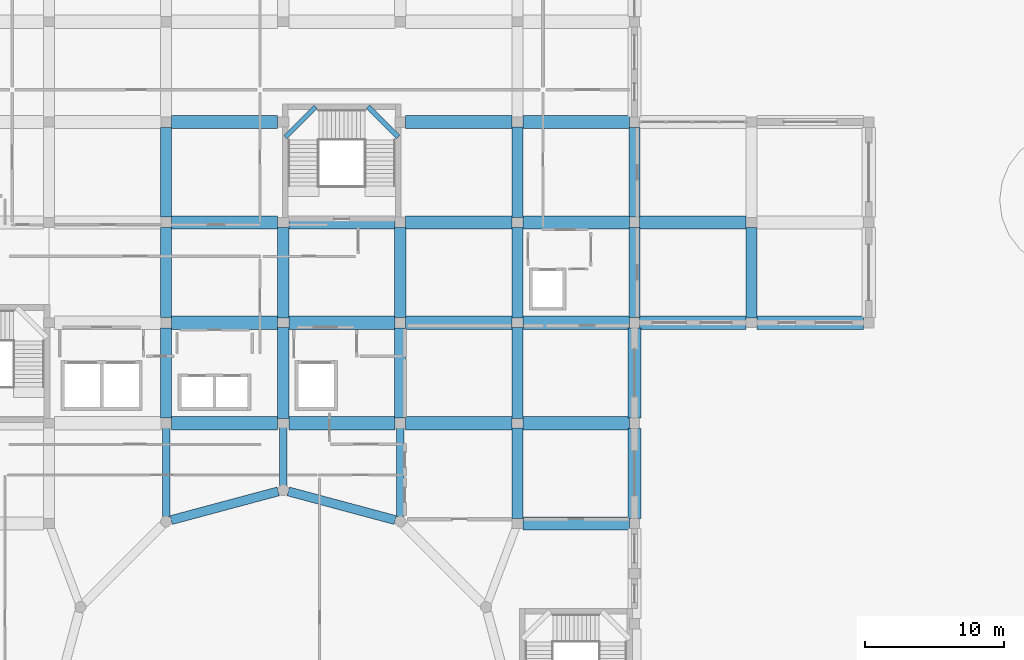
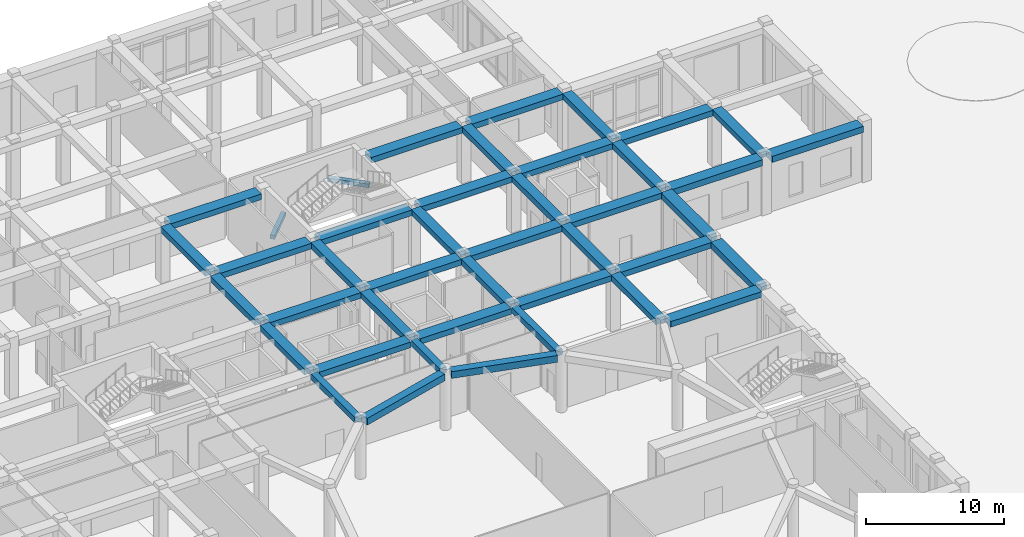
# One storey, part 36 of 84: 42 beams.
"""IFC4 building model written with IfcOpenShell, lengths in metres."""

from ifc_helpers import new_model, si_unit, derived_unit, direction, frame, origin, origin_2d, place, context, subcontext, project, spatial, rectangle, extrude, material, material_profile, profile_set, type_object, element, save


model = new_model("IFC4")

# Units and contexts
model_context = context("Model", 3, precision=1e-05, world=origin(), true_north=direction((0.0, 1.0)))
body_context = subcontext(model_context, "Body", "Model", "MODEL_VIEW")
ifc_project = project(units=[si_unit("LENGTHUNIT", "METRE"), si_unit("AREAUNIT", "SQUARE_METRE"), si_unit("VOLUMEUNIT", "CUBIC_METRE"), si_unit("PLANEANGLEUNIT", "RADIAN"), si_unit("MASSUNIT", "GRAM", prefix="KILO"), derived_unit("THERMALTRANSMITTANCEUNIT", [(si_unit("POWERUNIT", "WATT"), 1), (si_unit("LENGTHUNIT", "METRE"), -2), (si_unit("THERMODYNAMICTEMPERATUREUNIT", "KELVIN"), -1)])], contexts=[model_context])

# Site, building, storey
site_placement = place(None, origin())
site = spatial("IfcSite", under=ifc_project, at=site_placement, CompositionType="ELEMENT")
building_placement = place(site_placement, origin())
building = spatial("IfcBuilding", under=site, at=building_placement, Name="Veybourne Emporium", CompositionType="ELEMENT")
storey_placement = place(building_placement, origin())
storey = spatial("IfcBuildingStorey", under=building, at=storey_placement, Name="L00", CompositionType="ELEMENT", Elevation=0.0)

# Beams
ifc_material = material(Name="Concrete C32/40", Category="concrete")
ifc_material_profile_1 = material_profile(ifc_material, rectangle(XDim=0.35009765625, YDim=0.35009765625, at=origin_2d()), Name="RC 350x350")
ifc_profile_set_1 = profile_set([ifc_material_profile_1], Name="Concrete C32/40")
beam_type_1 = type_object("IfcBeamType", Name="LandingBeam_LB-01", PredefinedType="BEAM", material=ifc_profile_set_1)
for number, where, z_axis, x_axis, name in (
    (1, (75.75, 92.52001953125, 1.425048828125), (0.707106781187, 0.707106781187, 0.0), (-0.707106781187, 0.707106781187, 0.0), "L00 ST-04 landing 1 support beam"),
    (2, (81.669921875, 94.699951171875, 3.22509765625), (0.70714637394, -0.707067186216, 0.0), (0.707067186216, 0.70714637394, 0.0), "L00 ST-04 landing 2 support beam"),
):
    element("IfcBeam", number, at=place(storey_placement, frame(where, z_axis=z_axis, x_axis=x_axis)), inside=storey, type_object=beam_type_1, Name=name, PredefinedType="BEAM", context=body_context, shape_type="SweptSolid", body=[
        extrude(rectangle(XDim=0.35009765625, YDim=0.35009765625, at=origin_2d()), origin(), (0.0, 0.0, 1.0), 3.0830078125),
    ])
ifc_material_profile_2 = material_profile(ifc_material, rectangle(XDim=0.949951171875, YDim=0.5, at=origin_2d()), Name="RC 950x500")
ifc_profile_set_2 = profile_set([ifc_material_profile_2], Name="Concrete C32/40")
beam_type_2 = type_object("IfcBeamType", Name="RCBeam_BB-01", PredefinedType="BEAM", material=ifc_profile_set_2)
for number, where, z_axis, x_axis, name in (
    (3, (67.574951171875, 72.0, 4.830078125), (1.0, 0.0, 0.0), (0.0, 1.0, 0.0), "L00 X-grid beam BB-01 (8,10)"),
    (4, (67.574951171875, 79.199951171875, 4.830078125), (1.0, 0.0, 0.0), (0.0, 1.0, 0.0), "L00 X-grid beam BB-01 (8,11)"),
    (5, (67.574951171875, 86.39990234375, 4.830078125), (1.0, 0.0, 0.0), (0.0, 1.0, 0.0), "L00 X-grid beam BB-01 (8,12)"),
    (6, (67.574951171875, 93.60009765625, 4.830078125), (1.0, 0.0, 0.0), (0.0, 1.0, 0.0), "L00 X-grid beam BB-01 (8,13)"),
    (7, (76.0, 72.0, 4.830078125), (1.0, 0.0, 0.0), (0.0, 1.0, 0.0), "L00 X-grid beam BB-01 (9,10)"),
    (8, (76.0, 79.199951171875, 4.830078125), (1.0, 0.0, 0.0), (0.0, 1.0, 0.0), "L00 X-grid beam BB-01 (9,11)"),
    (9, (76.0, 86.39990234375, 4.830078125), (1.0, 0.0, 0.0), (0.0, 1.0, 0.0), "L00 X-grid beam BB-01 (9,12)"),
    (10, (84.375, 72.0, 4.830078125), (1.0, 0.0, 0.0), (0.0, 1.0, 0.0), "L00 X-grid beam BB-01 (10,10)"),
    (11, (84.375, 79.199951171875, 4.830078125), (1.0, 0.0, 0.0), (0.0, 1.0, 0.0), "L00 X-grid beam BB-01 (10,11)"),
    (12, (84.375, 86.39990234375, 4.830078125), (1.0, 0.0, 0.0), (0.0, 1.0, 0.0), "L00 X-grid beam BB-01 (10,12)"),
    (13, (84.375, 93.60009765625, 4.830078125), (1.0, 0.0, 0.0), (0.0, 1.0, 0.0), "L00 X-grid beam BB-01 (10,13)"),
    (14, (92.800048828125, 64.800048828125, 4.830078125), (1.0, 0.0, 0.0), (0.0, 1.0, 0.0), "L00 X-grid beam BB-01 (11,9)"),
    (15, (92.800048828125, 72.0, 4.830078125), (1.0, 0.0, 0.0), (0.0, 1.0, 0.0), "L00 X-grid beam BB-01 (11,10)"),
    (16, (92.800048828125, 79.199951171875, 4.830078125), (1.0, 0.0, 0.0), (0.0, 1.0, 0.0), "L00 X-grid beam BB-01 (11,11)"),
    (17, (92.800048828125, 86.39990234375, 4.830078125), (1.0, 0.0, 0.0), (0.0, 1.0, 0.0), "L00 X-grid beam BB-01 (11,12)"),
    (18, (92.800048828125, 93.60009765625, 4.830078125), (1.0, 0.0, 0.0), (0.0, 1.0, 0.0), "L00 X-grid beam BB-01 (11,13)"),
    (19, (101.175048828125, 86.39990234375, 4.830078125), (1.0, 0.0, 0.0), (0.0, 1.0, 0.0), "L00 X-grid beam BB-01 (12,12)"),
):
    element("IfcBeam", number, at=place(storey_placement, frame(where, z_axis=z_axis, x_axis=x_axis)), inside=storey, type_object=beam_type_2, Name=name, PredefinedType="BEAM", context=body_context, shape_type="SweptSolid", body=[
        extrude(rectangle(XDim=0.949951171875, YDim=0.5, at=origin_2d()), origin(), (0.0, 0.0, 1.0), 7.625),
    ])
ifc_material_profile_3 = material_profile(ifc_material, rectangle(XDim=0.800048828125, YDim=0.5, at=origin_2d()), Name="RC 800x500")
ifc_profile_set_3 = profile_set([ifc_material_profile_3], Name="Concrete C32/40")
beam_type_3 = type_object("IfcBeamType", Name="RCBeam_BB-02", PredefinedType="BEAM", material=ifc_profile_set_3)
for number, where, z_axis, x_axis, name in (
    (20, (67.199951171875, 72.375, 4.830078125), (0.0, 1.0, 0.0), (-1.0, 0.0, 0.0), "L00 Y-grid beam BB-02 (8,10)"),
    (21, (67.199951171875, 79.574951171875, 4.830078125), (0.0, 1.0, 0.0), (-1.0, 0.0, 0.0), "L00 Y-grid beam BB-02 (8,11)"),
):
    element("IfcBeam", number, at=place(storey_placement, frame(where, z_axis=z_axis, x_axis=x_axis)), inside=storey, type_object=beam_type_3, Name=name, PredefinedType="BEAM", context=body_context, shape_type="SweptSolid", body=[
        extrude(rectangle(XDim=0.800048828125, YDim=0.5, at=origin_2d()), origin(), (0.0, 0.0, 1.0), 6.449951171875),
    ])
beam_1_placement = place(storey_placement, frame((67.199951171875, 86.77490234375, 4.830078125), z_axis=(0.0, 1.0, 0.0), x_axis=(-1.0, 0.0, 0.0)))
element("IfcBeam", 22, at=beam_1_placement, inside=storey, type_object=beam_type_3, Name="L00 Y-grid beam BB-02 (8,12)", PredefinedType="BEAM", context=body_context, shape_type="SweptSolid", body=[
    extrude(rectangle(XDim=0.800048828125, YDim=0.5, at=origin_2d()), origin(), (0.0, 0.0, 1.0), 6.4501953125),
])
for number, where, z_axis, x_axis, name in (
    (23, (75.60009765625, 72.35009765625, 4.830078125), (0.0, 1.0, 0.0), (-1.0, 0.0, 0.0), "L00 Y-grid beam BB-02 (9,10)"),
    (24, (75.60009765625, 79.550048828125, 4.830078125), (0.0, 1.0, 0.0), (-1.0, 0.0, 0.0), "L00 Y-grid beam BB-02 (9,11)"),
):
    element("IfcBeam", number, at=place(storey_placement, frame(where, z_axis=z_axis, x_axis=x_axis)), inside=storey, type_object=beam_type_3, Name=name, PredefinedType="BEAM", context=body_context, shape_type="SweptSolid", body=[
        extrude(rectangle(XDim=0.800048828125, YDim=0.5, at=origin_2d()), origin(), (0.0, 0.0, 1.0), 6.5),
    ])
for number, where, z_axis, x_axis, name in (
    (25, (84.0, 72.375, 4.830078125), (0.0, 1.0, 0.0), (-1.0, 0.0, 0.0), "L00 Y-grid beam BB-02 (10,10)"),
    (26, (84.0, 79.574951171875, 4.830078125), (0.0, 1.0, 0.0), (-1.0, 0.0, 0.0), "L00 Y-grid beam BB-02 (10,11)"),
):
    element("IfcBeam", number, at=place(storey_placement, frame(where, z_axis=z_axis, x_axis=x_axis)), inside=storey, type_object=beam_type_3, Name=name, PredefinedType="BEAM", context=body_context, shape_type="SweptSolid", body=[
        extrude(rectangle(XDim=0.800048828125, YDim=0.5, at=origin_2d()), origin(), (0.0, 0.0, 1.0), 6.449951171875),
    ])
for number, where, z_axis, x_axis, name in (
    (27, (92.39990234375, 65.14990234375, 4.830078125), (0.0, 1.0, 0.0), (-1.0, 0.0, 0.0), "L00 Y-grid beam BB-02 (11,9)"),
    (28, (92.39990234375, 72.35009765625, 4.830078125), (0.0, 1.0, 0.0), (-1.0, 0.0, 0.0), "L00 Y-grid beam BB-02 (11,10)"),
    (29, (92.39990234375, 79.550048828125, 4.830078125), (0.0, 1.0, 0.0), (-1.0, 0.0, 0.0), "L00 Y-grid beam BB-02 (11,11)"),
    (30, (92.39990234375, 86.75, 4.830078125), (0.0, 1.0, 0.0), (-1.0, 0.0, 0.0), "L00 Y-grid beam BB-02 (11,12)"),
):
    element("IfcBeam", number, at=place(storey_placement, frame(where, z_axis=z_axis, x_axis=x_axis)), inside=storey, type_object=beam_type_3, Name=name, PredefinedType="BEAM", context=body_context, shape_type="SweptSolid", body=[
        extrude(rectangle(XDim=0.800048828125, YDim=0.5, at=origin_2d()), origin(), (0.0, 0.0, 1.0), 6.5),
    ])
beam_2_placement = place(storey_placement, frame((100.800048828125, 79.574951171875, 4.830078125), z_axis=(0.0, 1.0, 0.0), x_axis=(-1.0, 0.0, 0.0)))
element("IfcBeam", 31, at=beam_2_placement, inside=storey, type_object=beam_type_3, Name="L00 Y-grid beam BB-02 (12,11)", PredefinedType="BEAM", context=body_context, shape_type="SweptSolid", body=[
    extrude(rectangle(XDim=0.800048828125, YDim=0.5, at=origin_2d()), origin(), (0.0, 0.0, 1.0), 6.449951171875),
])
beam_3_placement = place(storey_placement, frame((100.800048828125, 86.77490234375, 4.830078125), z_axis=(0.0, 1.0, 0.0), x_axis=(-1.0, 0.0, 0.0)))
element("IfcBeam", 32, at=beam_3_placement, inside=storey, type_object=beam_type_3, Name="L00 Y-grid beam BB-02 (12,12)", PredefinedType="BEAM", context=body_context, shape_type="SweptSolid", body=[
    extrude(rectangle(XDim=0.800048828125, YDim=0.5, at=origin_2d()), origin(), (0.0, 0.0, 1.0), 6.4501953125),
])
beam_4_placement = place(storey_placement, frame((109.199951171875, 79.550048828125, 4.830078125), z_axis=(0.0, 1.0, 0.0), x_axis=(-1.0, 0.0, 0.0)))
element("IfcBeam", 33, at=beam_4_placement, inside=storey, type_object=beam_type_3, Name="L00 Y-grid beam BB-02 (13,11)", PredefinedType="BEAM", context=body_context, shape_type="SweptSolid", body=[
    extrude(rectangle(XDim=0.800048828125, YDim=0.5, at=origin_2d()), origin(), (0.0, 0.0, 1.0), 6.5),
])
ifc_material_profile_4 = material_profile(ifc_material, rectangle(XDim=0.949951171875, YDim=0.550048828125, at=origin_2d()), Name="RC 950x550")
ifc_profile_set_4 = profile_set([ifc_material_profile_4], Name="Concrete C32/40")
beam_type_4 = type_object("IfcBeamType", Name="RCBeam_EB-01", PredefinedType="SPANDREL", material=ifc_profile_set_4)
for number, where, z_axis, x_axis, name in (
    (34, (101.175048828125, 79.199951171875, 4.804931640625), (1.0, 0.0, 0.0), (0.0, 1.0, 0.0), "L00 X-grid beam EB-01 (12,11)"),
    (35, (109.60009765625, 79.199951171875, 4.804931640625), (1.0, 0.0, 0.0), (0.0, 1.0, 0.0), "L00 X-grid beam EB-01 (13,11)"),
):
    element("IfcBeam", number, at=place(storey_placement, frame(where, z_axis=z_axis, x_axis=x_axis)), inside=storey, type_object=beam_type_4, Name=name, PredefinedType="SPANDREL", context=body_context, shape_type="SweptSolid", body=[
        extrude(rectangle(XDim=0.949951171875, YDim=0.550048828125, at=origin_2d()), origin(), (0.0, 0.0, 1.0), 7.625),
    ])
for number, where, z_axis, x_axis, name in (
    (36, (100.800048828125, 65.175048828125, 4.804931640625), (0.0, 1.0, 0.0), (-1.0, 0.0, 0.0), "L00 Y-grid beam EB-01 (12,9)"),
    (37, (100.800048828125, 72.375, 4.804931640625), (0.0, 1.0, 0.0), (-1.0, 0.0, 0.0), "L00 Y-grid beam EB-01 (12,10)"),
):
    element("IfcBeam", number, at=place(storey_placement, frame(where, z_axis=z_axis, x_axis=x_axis)), inside=storey, type_object=beam_type_4, Name=name, PredefinedType="SPANDREL", context=body_context, shape_type="SweptSolid", body=[
        extrude(rectangle(XDim=0.949951171875, YDim=0.550048828125, at=origin_2d()), origin(), (0.0, 0.0, 1.0), 6.449951171875),
    ])
ifc_material_profile_5 = material_profile(ifc_material, rectangle(XDim=0.64990234375, YDim=0.60009765625, at=origin_2d()), Name="RC 650x600")
ifc_profile_set_5 = profile_set([ifc_material_profile_5], Name="Concrete C32/40")
beam_type_5 = type_object("IfcBeamType", Name="RCBeam_EB-02", PredefinedType="BEAM", material=ifc_profile_set_5)
beam_5_placement = place(storey_placement, frame((83.633056640625, 65.047607421875, 4.780029296875), z_axis=(-0.965930476153, 0.258801690951, 0.0), x_axis=(-0.258801690951, -0.965930476153, 0.0)))
element("IfcBeam", 38, at=beam_5_placement, inside=storey, type_object=beam_type_5, Name="Atrium ring beam EB-02 L00-03", PredefinedType="BEAM", context=body_context, shape_type="SweptSolid", body=[
    extrude(rectangle(XDim=0.64990234375, YDim=0.60009765625, at=origin_2d()), origin(), (0.0, 0.0, 1.0), 7.9365234375),
])
beam_6_placement = place(storey_placement, frame((75.23291015625, 67.1015625, 4.780029296875), z_axis=(-0.965928415666, -0.258809381222, 0.0), x_axis=(0.258809381222, -0.965928415666, 0.0)))
element("IfcBeam", 39, at=beam_6_placement, inside=storey, type_object=beam_type_5, Name="Atrium ring beam EB-02 L00-04", PredefinedType="BEAM", context=body_context, shape_type="SweptSolid", body=[
    extrude(rectangle(XDim=0.64990234375, YDim=0.60009765625, at=origin_2d()), origin(), (0.0, 0.0, 1.0), 7.936279296875),
])
ifc_material_profile_6 = material_profile(ifc_material, rectangle(XDim=0.550048828125, YDim=0.5, at=origin_2d()), Name="RC 550x500")
ifc_profile_set_6 = profile_set([ifc_material_profile_6], Name="Concrete C32/40")
beam_type_6 = type_object("IfcBeamType", Name="RCBeam_TB-01", PredefinedType="BEAM", material=ifc_profile_set_6)
beam_7_placement = place(storey_placement, frame((84.0, 65.289306640625, 4.830078125), z_axis=(0.0, 1.0, 0.0), x_axis=(-1.0, 0.0, 0.0)))
element("IfcBeam", 40, at=beam_7_placement, inside=storey, type_object=beam_type_6, Name="Atrium radial tie beam L00-03", PredefinedType="BEAM", context=body_context, shape_type="SweptSolid", body=[
    extrude(rectangle(XDim=0.550048828125, YDim=0.5, at=origin_2d()), origin(), (0.0, 0.0, 1.0), 6.395751953125),
])
beam_8_placement = place(storey_placement, frame((75.60009765625, 67.5400390625, 4.830078125), z_axis=(0.0, 1.0, 0.0), x_axis=(-1.0, 0.0, 0.0)))
element("IfcBeam", 41, at=beam_8_placement, inside=storey, type_object=beam_type_6, Name="Atrium radial tie beam L00-04", PredefinedType="BEAM", context=body_context, shape_type="SweptSolid", body=[
    extrude(rectangle(XDim=0.550048828125, YDim=0.5, at=origin_2d()), origin(), (0.0, 0.0, 1.0), 4.169921875),
])
beam_9_placement = place(storey_placement, frame((67.199951171875, 65.289306640625, 4.830078125), z_axis=(0.0, 1.0, 0.0), x_axis=(-1.0, 0.0, 0.0)))
element("IfcBeam", 42, at=beam_9_placement, inside=storey, type_object=beam_type_6, Name="Atrium radial tie beam L00-05", PredefinedType="BEAM", context=body_context, shape_type="SweptSolid", body=[
    extrude(rectangle(XDim=0.550048828125, YDim=0.5, at=origin_2d()), origin(), (0.0, 0.0, 1.0), 6.395751953125),
])

save(model, "model.ifc")
